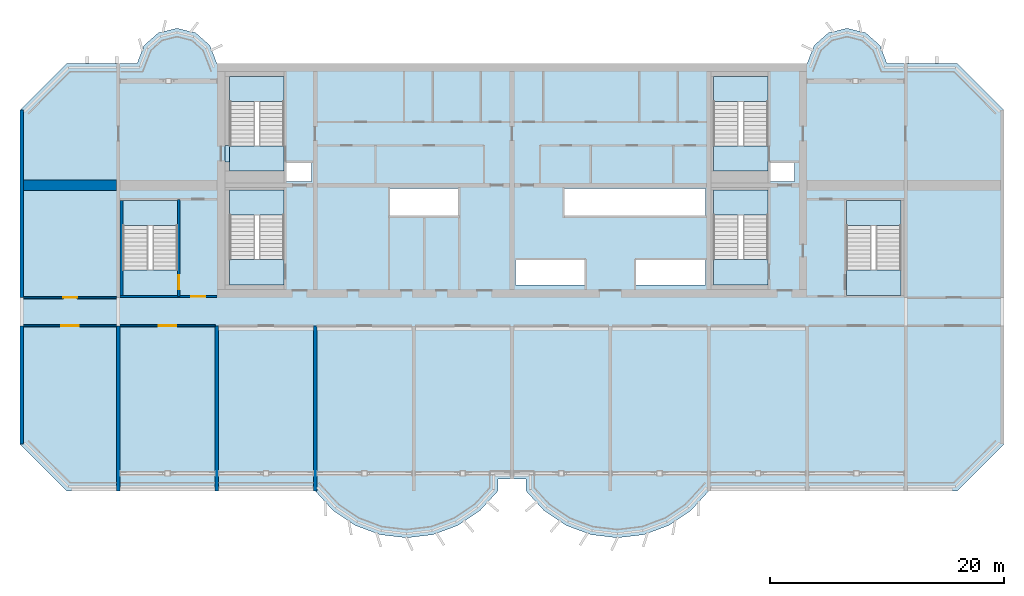
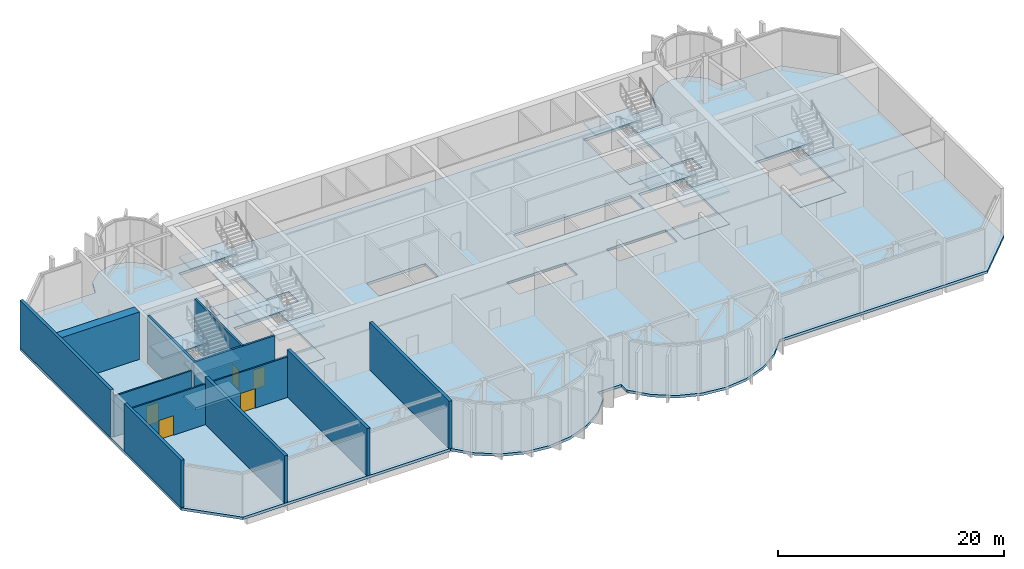
# One storey, part 3 of 15: 20 slabs, 12 walls, 5 doors, 5 openings, 6 elements without a shape of their own.
"""IFC4 building model written with IfcOpenShell, lengths in metres."""

from ifc_helpers import new_model, si_unit, direction, frame, frame_2d, origin, place, context, subcontext, project, spatial, polyline, rectangle, outline, extrude, source, transform, mapped, material, layer, layer_set, type_object, element, fill, aggregate, save


model = new_model("IFC4")

# Units and contexts
model_context = context("Model", 3, precision=1e-05, world=origin(), true_north=direction((0.0, 1.0)))
body_context = subcontext(model_context, "Body", "Model", "MODEL_VIEW")
ifc_project = project(units=[si_unit("LENGTHUNIT", "METRE"), si_unit("AREAUNIT", "SQUARE_METRE"), si_unit("VOLUMEUNIT", "CUBIC_METRE"), si_unit("PLANEANGLEUNIT", "RADIAN"), si_unit("MASSUNIT", "GRAM", prefix="KILO")], contexts=[model_context])

# Site, building, storey
site_placement = place(None, origin())
site = spatial("IfcSite", under=ifc_project, at=site_placement, CompositionType="ELEMENT")
building_placement = place(site_placement, origin())
building = spatial("IfcBuilding", under=site, at=building_placement, Name="Vanashikhar Sky Hotel", CompositionType="ELEMENT")
storey_placement = place(building_placement, frame((0.0, 0.0, 201.0)))
storey = spatial("IfcBuildingStorey", under=building, at=storey_placement, Name="L49", CompositionType="ELEMENT", Elevation=201.0)

# Slabs
ifc_material_1 = material(Name="Concrete M40", Category="concrete")
ifc_layer_1 = layer(ifc_material_1, 0.280029296875)
ifc_layer_set_1 = layer_set([ifc_layer_1], Name="Floor slab 280 mm")
slab_type_1 = type_object("IfcSlabType", Name="Floor slab 280 mm", PredefinedType="FLOOR", material=ifc_layer_set_1)
shared_shape_1 = source(origin(), body_context, "Body", "SweptSolid", [
    extrude(outline(polyline([(49.199951171875, 5.5), (49.199951171875, 6.5), (51.60009765625, 6.5), (51.60009765625, 5.5), (53.133056640625, 3.825927734375), (55.01708984375, 2.55810546875), (57.14599609375, 1.76806640625), (59.39990234375, 1.5), (61.654052734375, 1.76806640625), (63.782958984375, 2.55810546875), (65.6669921875, 3.825927734375), (67.199951171875, 5.5), (88.39990234375, 5.5), (92.39990234375, 9.5), (92.39990234375, 38.0), (88.39990234375, 42.0), (82.39990234375, 42.0), (81.81494140625, 43.527099609375), (80.587890625, 44.610107421875), (79.0, 45.0), (77.412109375, 44.610107421875), (76.18505859375, 43.527099609375), (75.60009765625, 42.0), (25.199951171875, 42.0), (24.614990234375, 43.527099609375), (23.387939453125, 44.610107421875), (21.800048828125, 45.0), (20.2119140625, 44.610107421875), (18.985107421875, 43.527099609375), (18.39990234375, 42.0), (12.39990234375, 42.0), (8.39990234375, 38.0), (8.39990234375, 9.5), (12.39990234375, 5.5), (33.60009765625, 5.5), (35.133056640625, 3.825927734375), (37.01708984375, 2.55810546875), (39.14599609375, 1.76806640625), (41.39990234375, 1.5), (43.654052734375, 1.76806640625), (45.782958984375, 2.55810546875), (47.6669921875, 3.825927734375), (49.199951171875, 5.5)]), holes=[polyline([(33.300048828125, 33.60009765625), (31.050048828125, 33.60009765625), (31.050048828125, 31.89990234375), (33.300048828125, 31.89990234375), (33.300048828125, 33.60009765625)]), polyline([(39.89990234375, 31.300048828125), (39.89990234375, 29.0), (45.89990234375, 29.0), (45.89990234375, 31.300048828125), (39.89990234375, 31.300048828125)]), polyline([(50.699951171875, 25.199951171875), (50.699951171875, 23.10009765625), (56.699951171875, 23.10009765625), (56.699951171875, 25.199951171875), (50.699951171875, 25.199951171875)]), polyline([(66.89990234375, 29.0), (66.89990234375, 31.300048828125), (54.89990234375, 31.300048828125), (54.89990234375, 29.0), (66.89990234375, 29.0)]), polyline([(60.89990234375, 25.199951171875), (60.89990234375, 23.10009765625), (66.89990234375, 23.10009765625), (66.89990234375, 25.199951171875), (60.89990234375, 25.199951171875)]), polyline([(74.5, 33.60009765625), (72.35009765625, 33.60009765625), (72.35009765625, 31.89990234375), (74.5, 31.89990234375), (74.5, 33.60009765625)]), polyline([(30.949951171875, 23.10009765625), (30.949951171875, 31.199951171875), (26.300048828125, 31.199951171875), (26.300048828125, 23.10009765625), (30.949951171875, 23.10009765625)]), polyline([(72.25, 23.10009765625), (72.25, 31.199951171875), (67.60009765625, 31.199951171875), (67.60009765625, 23.10009765625), (72.25, 23.10009765625)]), polyline([(26.300048828125, 35.0009765625), (25.89892578125, 35.0009765625), (25.89892578125, 33.59912109375), (26.300048828125, 33.59912109375), (26.300048828125, 32.800048828125), (30.949951171875, 32.800048828125), (30.949951171875, 40.89990234375), (26.300048828125, 40.89990234375), (26.300048828125, 35.0009765625)]), polyline([(72.25, 32.800048828125), (72.25, 40.89990234375), (67.60009765625, 40.89990234375), (67.60009765625, 32.800048828125), (72.25, 32.800048828125)]), polyline([(83.60009765625, 22.199951171875), (83.60009765625, 30.300048828125), (78.949951171875, 30.300048828125), (78.949951171875, 22.199951171875), (83.60009765625, 22.199951171875)]), polyline([(21.85009765625, 22.199951171875), (21.85009765625, 30.300048828125), (17.199951171875, 30.300048828125), (17.199951171875, 22.199951171875), (21.85009765625, 22.199951171875)])]), origin(), (0.0, 0.0, 1.0), 0.280029296875),
])
slab_1_placement = place(storey_placement, frame((0.0, 0.0, -0.280029296875)))
element("IfcSlab", 1, at=slab_1_placement, inside=storey, type_object=slab_type_1, Name="Floor slab L49", PredefinedType="FLOOR", context=body_context, shape_type="MappedRepresentation", body=[
    mapped(shared_shape_1, transform((0.0, 0.0, 0.0), scale=1.0)),
])
ifc_layer_2 = layer(ifc_material_1, 0.280029296875)
ifc_layer_set_2 = layer_set([ifc_layer_2], Name="Stair floor landing 280")
slab_type_2 = type_object("IfcSlabType", Name="Stair floor landing 280", PredefinedType="LANDING", material=ifc_layer_set_2)
shared_shape_2 = source(origin(), body_context, "Body", "SweptSolid", [
    extrude(outline(polyline([(25.89990234375, 33.60009765625), (26.300048828125, 33.60009765625), (26.300048828125, 35.0), (25.89990234375, 35.0), (25.89990234375, 33.60009765625)])), origin(), (0.0, 0.0, 1.0), 0.280029296875),
])
slab_2_placement = place(storey_placement, frame((0.0, 0.0, -0.280029296875)))
element("IfcSlab", 2, at=slab_2_placement, inside=storey, type_object=slab_type_2, Name="Stair floor landing", PredefinedType="LANDING", context=body_context, shape_type="MappedRepresentation", body=[
    mapped(shared_shape_2, transform((0.0, 0.0, 0.0), scale=1.0)),
])

# Stair, slabs
stair_type = type_object("IfcStairType", Name="Exit stair 2150", PredefinedType="DOUBLE_RETURN_STAIR", material=ifc_material_1)
stair_1_placement = place(storey_placement, origin())
stair_1 = element("IfcStair", 3, at=stair_1_placement, inside=storey, type_object=stair_type, Name="L49 Exit stair 1", PredefinedType="DOUBLE_RETURN_STAIR")
ifc_layer_3 = layer(ifc_material_1, 0.199951171875)
ifc_layer_set_3 = layer_set([ifc_layer_3], Name="Stair landing 200")
slab_type_3 = type_object("IfcSlabType", Name="Stair landing 200", PredefinedType="LANDING", material=ifc_layer_set_3)
shared_shape_3 = source(origin(), body_context, "Body", "SweptSolid", [
    extrude(outline(polyline([(30.949951171875, 29.050048828125), (30.949951171875, 31.199951171875), (26.300048828125, 31.199951171875), (26.300048828125, 29.050048828125), (30.949951171875, 29.050048828125)])), origin(), (0.0, 0.0, 1.0), 0.199951171875),
])
slab_3_placement = place(storey_placement, frame((0.0, 0.0, 1.60009765625)))
slab_3 = element("IfcSlab", 4, at=slab_3_placement, type_object=slab_type_3, Name="ST-C1 landing 1", PredefinedType="LANDING", context=body_context, shape_type="MappedRepresentation", body=[
    mapped(shared_shape_3, transform((0.0, 0.0, 0.0), scale=1.0)),
])
shared_shape_4 = source(origin(), body_context, "Body", "SweptSolid", [
    extrude(outline(polyline([(30.949951171875, 23.10009765625), (30.949951171875, 25.25), (26.300048828125, 25.25), (26.300048828125, 23.10009765625), (30.949951171875, 23.10009765625)])), origin(), (0.0, 0.0, 1.0), 0.2001953125),
])
slab_4_placement = place(storey_placement, frame((0.0, 0.0, 3.39990234375)))
slab_4 = element("IfcSlab", 5, at=slab_4_placement, type_object=slab_type_3, Name="ST-C1 landing 2", PredefinedType="LANDING", context=body_context, shape_type="MappedRepresentation", body=[
    mapped(shared_shape_4, transform((0.0, 0.0, 0.0), scale=1.0)),
])
aggregate(stair_1, [slab_3, slab_4])

# Slab
shared_shape_5 = source(origin(), body_context, "Body", "SweptSolid", [
    extrude(outline(polyline([(30.949951171875, 23.10009765625), (30.949951171875, 25.25), (26.300048828125, 25.25), (26.300048828125, 23.10009765625), (30.949951171875, 23.10009765625)])), origin(), (0.0, 0.0, 1.0), 0.280029296875),
])
slab_5_placement = place(storey_placement, frame((0.0, 0.0, -0.280029296875)))
element("IfcSlab", 6, at=slab_5_placement, inside=storey, type_object=slab_type_2, Name="Exit stair 1 floor landing", PredefinedType="LANDING", context=body_context, shape_type="MappedRepresentation", body=[
    mapped(shared_shape_5, transform((0.0, 0.0, 0.0), scale=1.0)),
])

# Stair, slabs
stair_2_placement = place(storey_placement, origin())
stair_2 = element("IfcStair", 7, at=stair_2_placement, inside=storey, type_object=stair_type, Name="L49 Exit stair 2", PredefinedType="DOUBLE_RETURN_STAIR")
shared_shape_6 = source(origin(), body_context, "Body", "SweptSolid", [
    extrude(outline(polyline([(72.25, 29.050048828125), (72.25, 31.199951171875), (67.60009765625, 31.199951171875), (67.60009765625, 29.050048828125), (72.25, 29.050048828125)])), origin(), (0.0, 0.0, 1.0), 0.199951171875),
])
slab_6_placement = place(storey_placement, frame((0.0, 0.0, 1.60009765625)))
slab_6 = element("IfcSlab", 8, at=slab_6_placement, type_object=slab_type_3, Name="ST-C2 landing 1", PredefinedType="LANDING", context=body_context, shape_type="MappedRepresentation", body=[
    mapped(shared_shape_6, transform((0.0, 0.0, 0.0), scale=1.0)),
])
shared_shape_7 = source(origin(), body_context, "Body", "SweptSolid", [
    extrude(outline(polyline([(72.25, 23.10009765625), (72.25, 25.25), (67.60009765625, 25.25), (67.60009765625, 23.10009765625), (72.25, 23.10009765625)])), origin(), (0.0, 0.0, 1.0), 0.2001953125),
])
slab_7_placement = place(storey_placement, frame((0.0, 0.0, 3.39990234375)))
slab_7 = element("IfcSlab", 9, at=slab_7_placement, type_object=slab_type_3, Name="ST-C2 landing 2", PredefinedType="LANDING", context=body_context, shape_type="MappedRepresentation", body=[
    mapped(shared_shape_7, transform((0.0, 0.0, 0.0), scale=1.0)),
])
aggregate(stair_2, [slab_6, slab_7])

# Slab
shared_shape_8 = source(origin(), body_context, "Body", "SweptSolid", [
    extrude(outline(polyline([(72.25, 23.10009765625), (72.25, 25.25), (67.60009765625, 25.25), (67.60009765625, 23.10009765625), (72.25, 23.10009765625)])), origin(), (0.0, 0.0, 1.0), 0.280029296875),
])
slab_8_placement = place(storey_placement, frame((0.0, 0.0, -0.280029296875)))
element("IfcSlab", 10, at=slab_8_placement, inside=storey, type_object=slab_type_2, Name="Exit stair 2 floor landing", PredefinedType="LANDING", context=body_context, shape_type="MappedRepresentation", body=[
    mapped(shared_shape_8, transform((0.0, 0.0, 0.0), scale=1.0)),
])

# Stair, slabs
stair_3_placement = place(storey_placement, origin())
stair_3 = element("IfcStair", 11, at=stair_3_placement, inside=storey, type_object=stair_type, Name="L49 Exit stair 3", PredefinedType="DOUBLE_RETURN_STAIR")
shared_shape_9 = source(origin(), body_context, "Body", "SweptSolid", [
    extrude(outline(polyline([(21.85009765625, 28.14990234375), (21.85009765625, 30.300048828125), (17.199951171875, 30.300048828125), (17.199951171875, 28.14990234375), (21.85009765625, 28.14990234375)])), origin(), (0.0, 0.0, 1.0), 0.199951171875),
])
slab_9_placement = place(storey_placement, frame((0.0, 0.0, 1.60009765625)))
slab_9 = element("IfcSlab", 12, at=slab_9_placement, type_object=slab_type_3, Name="ST-W landing 1", PredefinedType="LANDING", context=body_context, shape_type="MappedRepresentation", body=[
    mapped(shared_shape_9, transform((0.0, 0.0, 0.0), scale=1.0)),
])
shared_shape_10 = source(origin(), body_context, "Body", "SweptSolid", [
    extrude(outline(polyline([(21.85009765625, 22.199951171875), (21.85009765625, 24.35009765625), (17.199951171875, 24.35009765625), (17.199951171875, 22.199951171875), (21.85009765625, 22.199951171875)])), origin(), (0.0, 0.0, 1.0), 0.2001953125),
])
slab_10_placement = place(storey_placement, frame((0.0, 0.0, 3.39990234375)))
slab_10 = element("IfcSlab", 13, at=slab_10_placement, type_object=slab_type_3, Name="ST-W landing 2", PredefinedType="LANDING", context=body_context, shape_type="MappedRepresentation", body=[
    mapped(shared_shape_10, transform((0.0, 0.0, 0.0), scale=1.0)),
])
aggregate(stair_3, [slab_9, slab_10])

# Slab
shared_shape_11 = source(origin(), body_context, "Body", "SweptSolid", [
    extrude(outline(polyline([(21.85009765625, 22.199951171875), (21.85009765625, 24.35009765625), (17.199951171875, 24.35009765625), (17.199951171875, 22.199951171875), (21.85009765625, 22.199951171875)])), origin(), (0.0, 0.0, 1.0), 0.280029296875),
])
slab_11_placement = place(storey_placement, frame((0.0, 0.0, -0.280029296875)))
element("IfcSlab", 14, at=slab_11_placement, inside=storey, type_object=slab_type_2, Name="Exit stair 3 floor landing", PredefinedType="LANDING", context=body_context, shape_type="MappedRepresentation", body=[
    mapped(shared_shape_11, transform((0.0, 0.0, 0.0), scale=1.0)),
])

# Stair, slabs
stair_4_placement = place(storey_placement, origin())
stair_4 = element("IfcStair", 15, at=stair_4_placement, inside=storey, type_object=stair_type, Name="L49 Exit stair 4", PredefinedType="DOUBLE_RETURN_STAIR")
shared_shape_12 = source(origin(), body_context, "Body", "SweptSolid", [
    extrude(outline(polyline([(83.60009765625, 28.14990234375), (83.60009765625, 30.300048828125), (78.949951171875, 30.300048828125), (78.949951171875, 28.14990234375), (83.60009765625, 28.14990234375)])), origin(), (0.0, 0.0, 1.0), 0.199951171875),
])
slab_12_placement = place(storey_placement, frame((0.0, 0.0, 1.60009765625)))
slab_12 = element("IfcSlab", 16, at=slab_12_placement, type_object=slab_type_3, Name="ST-E landing 1", PredefinedType="LANDING", context=body_context, shape_type="MappedRepresentation", body=[
    mapped(shared_shape_12, transform((0.0, 0.0, 0.0), scale=1.0)),
])
shared_shape_13 = source(origin(), body_context, "Body", "SweptSolid", [
    extrude(outline(polyline([(83.60009765625, 22.199951171875), (83.60009765625, 24.35009765625), (78.949951171875, 24.35009765625), (78.949951171875, 22.199951171875), (83.60009765625, 22.199951171875)])), origin(), (0.0, 0.0, 1.0), 0.2001953125),
])
slab_13_placement = place(storey_placement, frame((0.0, 0.0, 3.39990234375)))
slab_13 = element("IfcSlab", 17, at=slab_13_placement, type_object=slab_type_3, Name="ST-E landing 2", PredefinedType="LANDING", context=body_context, shape_type="MappedRepresentation", body=[
    mapped(shared_shape_13, transform((0.0, 0.0, 0.0), scale=1.0)),
])
aggregate(stair_4, [slab_12, slab_13])

# Slab
shared_shape_14 = source(origin(), body_context, "Body", "SweptSolid", [
    extrude(outline(polyline([(83.60009765625, 22.199951171875), (83.60009765625, 24.35009765625), (78.949951171875, 24.35009765625), (78.949951171875, 22.199951171875), (83.60009765625, 22.199951171875)])), origin(), (0.0, 0.0, 1.0), 0.280029296875),
])
slab_14_placement = place(storey_placement, frame((0.0, 0.0, -0.280029296875)))
element("IfcSlab", 18, at=slab_14_placement, inside=storey, type_object=slab_type_2, Name="Exit stair 4 floor landing", PredefinedType="LANDING", context=body_context, shape_type="MappedRepresentation", body=[
    mapped(shared_shape_14, transform((0.0, 0.0, 0.0), scale=1.0)),
])

# Stair, slabs
stair_5_placement = place(storey_placement, origin())
stair_5 = element("IfcStair", 19, at=stair_5_placement, inside=storey, type_object=stair_type, Name="L49 Exit stair 5", PredefinedType="DOUBLE_RETURN_STAIR")
shared_shape_15 = source(origin(), body_context, "Body", "SweptSolid", [
    extrude(outline(polyline([(30.949951171875, 38.75), (30.949951171875, 40.89990234375), (26.300048828125, 40.89990234375), (26.300048828125, 38.75), (30.949951171875, 38.75)])), origin(), (0.0, 0.0, 1.0), 0.199951171875),
])
slab_15_placement = place(storey_placement, frame((0.0, 0.0, 1.60009765625)))
slab_15 = element("IfcSlab", 20, at=slab_15_placement, type_object=slab_type_3, Name="ST-C3 landing 1", PredefinedType="LANDING", context=body_context, shape_type="MappedRepresentation", body=[
    mapped(shared_shape_15, transform((0.0, 0.0, 0.0), scale=1.0)),
])
shared_shape_16 = source(origin(), body_context, "Body", "SweptSolid", [
    extrude(outline(polyline([(30.949951171875, 32.800048828125), (30.949951171875, 34.949951171875), (26.300048828125, 34.949951171875), (26.300048828125, 32.800048828125), (30.949951171875, 32.800048828125)])), origin(), (0.0, 0.0, 1.0), 0.2001953125),
])
slab_16_placement = place(storey_placement, frame((0.0, 0.0, 3.39990234375)))
slab_16 = element("IfcSlab", 21, at=slab_16_placement, type_object=slab_type_3, Name="ST-C3 landing 2", PredefinedType="LANDING", context=body_context, shape_type="MappedRepresentation", body=[
    mapped(shared_shape_16, transform((0.0, 0.0, 0.0), scale=1.0)),
])
aggregate(stair_5, [slab_15, slab_16])

# Slab
shared_shape_17 = source(origin(), body_context, "Body", "SweptSolid", [
    extrude(outline(polyline([(30.949951171875, 32.800048828125), (30.949951171875, 34.949951171875), (26.300048828125, 34.949951171875), (26.300048828125, 32.800048828125), (30.949951171875, 32.800048828125)])), origin(), (0.0, 0.0, 1.0), 0.280029296875),
])
slab_17_placement = place(storey_placement, frame((0.0, 0.0, -0.280029296875)))
element("IfcSlab", 22, at=slab_17_placement, inside=storey, type_object=slab_type_2, Name="Exit stair 5 floor landing", PredefinedType="LANDING", context=body_context, shape_type="MappedRepresentation", body=[
    mapped(shared_shape_17, transform((0.0, 0.0, 0.0), scale=1.0)),
])

# Stair, slabs
stair_6_placement = place(storey_placement, origin())
stair_6 = element("IfcStair", 23, at=stair_6_placement, inside=storey, type_object=stair_type, Name="L49 Exit stair 6", PredefinedType="DOUBLE_RETURN_STAIR")
shared_shape_18 = source(origin(), body_context, "Body", "SweptSolid", [
    extrude(outline(polyline([(72.25, 38.75), (72.25, 40.89990234375), (67.60009765625, 40.89990234375), (67.60009765625, 38.75), (72.25, 38.75)])), origin(), (0.0, 0.0, 1.0), 0.199951171875),
])
slab_18_placement = place(storey_placement, frame((0.0, 0.0, 1.60009765625)))
slab_18 = element("IfcSlab", 24, at=slab_18_placement, type_object=slab_type_3, Name="ST-C4 landing 1", PredefinedType="LANDING", context=body_context, shape_type="MappedRepresentation", body=[
    mapped(shared_shape_18, transform((0.0, 0.0, 0.0), scale=1.0)),
])
shared_shape_19 = source(origin(), body_context, "Body", "SweptSolid", [
    extrude(outline(polyline([(72.25, 32.800048828125), (72.25, 34.949951171875), (67.60009765625, 34.949951171875), (67.60009765625, 32.800048828125), (72.25, 32.800048828125)])), origin(), (0.0, 0.0, 1.0), 0.2001953125),
])
slab_19_placement = place(storey_placement, frame((0.0, 0.0, 3.39990234375)))
slab_19 = element("IfcSlab", 25, at=slab_19_placement, type_object=slab_type_3, Name="ST-C4 landing 2", PredefinedType="LANDING", context=body_context, shape_type="MappedRepresentation", body=[
    mapped(shared_shape_19, transform((0.0, 0.0, 0.0), scale=1.0)),
])
aggregate(stair_6, [slab_18, slab_19])

# Slab
shared_shape_20 = source(origin(), body_context, "Body", "SweptSolid", [
    extrude(outline(polyline([(72.25, 32.800048828125), (72.25, 34.949951171875), (67.60009765625, 34.949951171875), (67.60009765625, 32.800048828125), (72.25, 32.800048828125)])), origin(), (0.0, 0.0, 1.0), 0.280029296875),
])
slab_20_placement = place(storey_placement, frame((0.0, 0.0, -0.280029296875)))
element("IfcSlab", 26, at=slab_20_placement, inside=storey, type_object=slab_type_2, Name="Exit stair 6 floor landing", PredefinedType="LANDING", context=body_context, shape_type="MappedRepresentation", body=[
    mapped(shared_shape_20, transform((0.0, 0.0, 0.0), scale=1.0)),
])

# Walls
ifc_material_2 = material(Name="Concrete M60", Category="concrete")
ifc_layer_4 = layer(ifc_material_2, 0.300048828125)
ifc_layer_set_4 = layer_set([ifc_layer_4], Name="RC shear wall 300 Concrete M60")
wall_type_1 = type_object("IfcWallType", Name="RC shear wall 300 Concrete M60", PredefinedType="SHEAR", material=ifc_layer_set_4)
shared_shape_21 = source(origin(), body_context, "Body", "SweptSolid", [
    extrude(rectangle(XDim=10.10009765625, YDim=0.300048828125, at=frame_2d((5.050048828125, 0.0))), origin(), (0.0, 0.0, 1.0), 5.1201171875),
])
wall_1_placement = place(storey_placement, frame((8.550048828125, 9.5, 0.0), z_axis=(0.0, 0.0, 1.0), x_axis=(0.0, 1.0, 0.0)))
element("IfcWall", 27, at=wall_1_placement, inside=storey, type_object=wall_type_1, Name="CW-L49-XW02-1", PredefinedType="SHEAR", context=body_context, shape_type="MappedRepresentation", body=[
    mapped(shared_shape_21, transform((0.0, 0.0, 0.0), scale=1.0)),
])
shared_shape_22 = source(origin(), body_context, "Body", "SweptSolid", [
    extrude(rectangle(XDim=16.0, YDim=0.300048828125, at=frame_2d((8.0, 0.0))), origin(), (0.0, 0.0, 1.0), 5.1201171875),
])
wall_2_placement = place(storey_placement, frame((8.550048828125, 22.0, 0.0), z_axis=(0.0, 0.0, 1.0), x_axis=(0.0, 1.0, 0.0)))
element("IfcWall", 28, at=wall_2_placement, inside=storey, type_object=wall_type_1, Name="CW-L49-XW02-2", PredefinedType="SHEAR", context=body_context, shape_type="MappedRepresentation", body=[
    mapped(shared_shape_22, transform((0.0, 0.0, 0.0), scale=1.0)),
])
shared_shape_23 = source(origin(), body_context, "Body", "SweptSolid", [
    extrude(rectangle(XDim=14.10009765625, YDim=0.300048828125, at=frame_2d((7.050048828125, 0.0))), origin(), (0.0, 0.0, 1.0), 5.1201171875),
])
for number, where, z_axis, x_axis, name in (
    (29, (16.800048828125, 5.5, 0.0), (0.0, 0.0, 1.0), (0.0, 1.0, 0.0), "CW-L49-XW03-1"),
    (30, (25.199951171875, 5.5, 0.0), (0.0, 0.0, 1.0), (0.0, 1.0, 0.0), "CW-L49-XW04-1"),
    (31, (33.60009765625, 5.5, 0.0), (0.0, 0.0, 1.0), (0.0, 1.0, 0.0), "CW-L49-XW05-1"),
):
    element("IfcWall", number, at=place(storey_placement, frame(where, z_axis=z_axis, x_axis=x_axis)), inside=storey, type_object=wall_type_1, Name=name, PredefinedType="SHEAR", context=body_context, shape_type="MappedRepresentation", body=[
        mapped(shared_shape_23, transform((0.0, 0.0, 0.0), scale=1.0)),
    ])
ifc_layer_5 = layer(ifc_material_2, 0.89990234375)
ifc_layer_set_5 = layer_set([ifc_layer_5], Name="RC outrigger wall 900 Concrete M60")
wall_type_2 = type_object("IfcWallType", Name="RC outrigger wall 900 Concrete M60", PredefinedType="SHEAR", material=ifc_layer_set_5)
shared_shape_24 = source(origin(), body_context, "Body", "SweptSolid", [
    extrude(rectangle(XDim=7.949951171875, YDim=0.89990234375, at=frame_2d((3.97509765625, 0.0))), origin(), (0.0, 0.0, 1.0), 5.1201171875),
])
wall_3_placement = place(storey_placement, frame((8.699951171875, 31.60009765625, 0.0), z_axis=(0.0, 0.0, 1.0), x_axis=(1.0, 0.0, 0.0)))
element("IfcWall", 32, at=wall_3_placement, inside=storey, type_object=wall_type_2, Name="OW-L49-01", PredefinedType="SHEAR", context=body_context, shape_type="MappedRepresentation", body=[
    mapped(shared_shape_24, transform((0.0, 0.0, 0.0), scale=1.0)),
])

# Wall, opening, door
ifc_material_3 = material(Name="Concrete M50", Category="concrete")
ifc_layer_6 = layer(ifc_material_3, 0.199951171875)
ifc_layer_set_6 = layer_set([ifc_layer_6], Name="Stair wall 200")
wall_type_3 = type_object("IfcWallType", Name="Stair wall 200", PredefinedType="SOLIDWALL", material=ifc_layer_set_6)
shared_shape_25 = source(origin(), body_context, "Body", "SweptSolid", [
    extrude(rectangle(XDim=8.2998046875, YDim=0.199951171875, at=frame_2d((4.14990234375, 0.0))), origin(), (0.0, 0.0, 1.0), 5.1201171875),
])
wall_4_placement = place(storey_placement, frame((21.949951171875, 22.10009765625, 0.0), z_axis=(0.0, 0.0, 1.0), x_axis=(0.0, 1.0, 0.0)))
wall_4 = element("IfcWall", 33, at=wall_4_placement, inside=storey, type_object=wall_type_3, Name="Stair wall 200", PredefinedType="SOLIDWALL", context=body_context, shape_type="MappedRepresentation", body=[
    mapped(shared_shape_25, transform((0.0, 0.0, 0.0), scale=1.0)),
])
shared_shape_26 = source(origin(), body_context, "Body", "SweptSolid", [
    extrude(rectangle(XDim=1.199951171875, YDim=2.10009765625, at=frame_2d((0.60009765625, 1.050048828125))), frame((0.0, 0.10986328125, 0.0), z_axis=(0.0, -1.0, 0.0), x_axis=(1.0, 0.0, 0.0)), (0.0, 0.0, 1.0), 0.219970703125),
])
opening_1_placement = place(wall_4_placement, frame((0.60009765625, 0.0, 0.0)))
opening_1 = element("IfcOpeningElement", 34, at=opening_1_placement, cuts=wall_4, Name="Opening DC-1", PredefinedType="OPENING", context=body_context, shape_type="MappedRepresentation", body=[
    mapped(shared_shape_26, transform((0.0, 0.0, 0.0), scale=1.0)),
])
ifc_material_4 = material(Name="Steel", Category="steel")
door_type_1 = type_object("IfcDoorType", Name="Stair door 1200 FD120", OperationType="NOTDEFINED", PredefinedType="DOOR", material=ifc_material_4)
shared_shape_27 = source(origin(), body_context, "Body", "SweptSolid", [
    extrude(rectangle(XDim=1.199951171875, YDim=2.10009765625, at=frame_2d((0.60009765625, 1.050048828125))), frame((0.0, 0.02490234375, 0.0), z_axis=(0.0, -1.0, 0.0), x_axis=(1.0, 0.0, 0.0)), (0.0, 0.0, 1.0), 0.050048828125),
])
door_1_placement = place(opening_1_placement, origin())
door_1 = element("IfcDoor", 35, at=door_1_placement, inside=storey, type_object=door_type_1, Name="Stair door 1200 FD120", OperationType="SINGLE_SWING_LEFT", OverallHeight=2.10009765625, OverallWidth=1.199951171875, PredefinedType="DOOR", context=body_context, shape_type="MappedRepresentation", body=[
    mapped(shared_shape_27, transform((0.0, 0.0, 0.0), scale=1.0)),
])
fill(opening_1, door_1)

shared_shape_28 = source(origin(), body_context, "Body", "SweptSolid", [
    extrude(rectangle(XDim=8.25, YDim=0.199951171875, at=frame_2d((4.125, 0.0))), origin(), (0.0, 0.0, 1.0), 5.1201171875),
])
wall_5_placement = place(storey_placement, frame((16.949951171875, 22.10009765625, 0.0), z_axis=(0.0, 0.0, 1.0), x_axis=(1.0, 0.0, 0.0)))
wall_5 = element("IfcWall", 36, at=wall_5_placement, inside=storey, type_object=wall_type_3, Name="Stair wall 200", PredefinedType="SOLIDWALL", context=body_context, shape_type="MappedRepresentation", body=[
    mapped(shared_shape_28, transform((0.0, 0.0, 0.0), scale=1.0)),
])
opening_2_placement = place(wall_5_placement, frame((6.050048828125, 0.0, 0.0)))
opening_2 = element("IfcOpeningElement", 37, at=opening_2_placement, cuts=wall_5, Name="Opening DC-2", PredefinedType="OPENING", context=body_context, shape_type="MappedRepresentation", body=[
    mapped(shared_shape_26, transform((0.0, 0.0, 0.0), scale=1.0)),
])
door_type_2 = type_object("IfcDoorType", Name="Firefighting lobby door 1200 FD120", OperationType="NOTDEFINED", PredefinedType="DOOR", material=ifc_material_4)
door_2_placement = place(opening_2_placement, origin())
door_2 = element("IfcDoor", 38, at=door_2_placement, inside=storey, type_object=door_type_2, Name="Firefighting lobby door 1200 FD120", OperationType="SINGLE_SWING_RIGHT", OverallHeight=2.10009765625, OverallWidth=1.199951171875, PredefinedType="DOOR", context=body_context, shape_type="MappedRepresentation", body=[
    mapped(shared_shape_27, transform((0.0, 0.0, 0.0), scale=1.0)),
])
fill(opening_2, door_2)

# Wall
ifc_layer_7 = layer(ifc_material_3, 0.25)
ifc_layer_set_7 = layer_set([ifc_layer_7], Name="Stair infill wall 250")
wall_type_4 = type_object("IfcWallType", Name="Stair infill wall 250", PredefinedType="SOLIDWALL", material=ifc_layer_set_7)
shared_shape_29 = source(origin(), body_context, "Body", "SweptSolid", [
    extrude(rectangle(XDim=8.10009765625, YDim=0.25, at=frame_2d((4.050048828125, 0.0))), origin(), (0.0, 0.0, 1.0), 5.1201171875),
])
wall_6_placement = place(storey_placement, frame((17.074951171875, 22.199951171875, 0.0), z_axis=(0.0, 0.0, 1.0), x_axis=(0.0, 1.0, 0.0)))
element("IfcWall", 39, at=wall_6_placement, inside=storey, type_object=wall_type_4, Name="Stair infill wall 250", PredefinedType="SOLIDWALL", context=body_context, shape_type="MappedRepresentation", body=[
    mapped(shared_shape_29, transform((0.0, 0.0, 0.0), scale=1.0)),
])

# Wall, opening, door
ifc_material_5 = material(Name="Gypsum board partition")
ifc_layer_8 = layer(ifc_material_5, 0.14990234375)
ifc_layer_set_8 = layer_set([ifc_layer_8], Name="Service partition 150")
wall_type_5 = type_object("IfcWallType", Name="Service partition 150", PredefinedType="PARTITIONING", material=ifc_layer_set_8)
shared_shape_30 = source(origin(), body_context, "Body", "SweptSolid", [
    extrude(rectangle(XDim=7.949951171875, YDim=0.14990234375, at=frame_2d((3.97509765625, 0.0))), origin(), (0.0, 0.0, 1.0), 4.3701171875),
])
wall_7_placement = place(storey_placement, frame((8.699951171875, 19.60009765625, 0.0), z_axis=(0.0, 0.0, 1.0), x_axis=(1.0, 0.0, 0.0)))
wall_7 = element("IfcWall", 40, at=wall_7_placement, inside=storey, type_object=wall_type_5, Name="Service partition 150", PredefinedType="PARTITIONING", context=body_context, shape_type="MappedRepresentation", body=[
    mapped(shared_shape_30, transform((0.0, 0.0, 0.0), scale=1.0)),
])
shared_shape_31 = source(origin(), body_context, "Body", "SweptSolid", [
    extrude(rectangle(XDim=1.5, YDim=2.10009765625, at=frame_2d((0.75, 1.050048828125))), frame((0.0, 0.0849609375, 0.0), z_axis=(0.0, -1.0, 0.0), x_axis=(1.0, 0.0, 0.0)), (0.0, 0.0, 1.0), 0.169921875),
])
opening_3_placement = place(wall_7_placement, frame((3.22509765625, 0.0, 0.0)))
opening_3 = element("IfcOpeningElement", 41, at=opening_3_placement, cuts=wall_7, Name="Opening DC-4-E", PredefinedType="OPENING", context=body_context, shape_type="MappedRepresentation", body=[
    mapped(shared_shape_31, transform((0.0, 0.0, 0.0), scale=1.0)),
])
door_type_3 = type_object("IfcDoorType", Name="Service door 1500 FD60", OperationType="NOTDEFINED", PredefinedType="DOOR", material=ifc_material_4)
shared_shape_32 = source(origin(), body_context, "Body", "SweptSolid", [
    extrude(rectangle(XDim=1.5, YDim=2.10009765625, at=frame_2d((0.75, 1.050048828125))), frame((0.0, 0.02490234375, 0.0), z_axis=(0.0, -1.0, 0.0), x_axis=(1.0, 0.0, 0.0)), (0.0, 0.0, 1.0), 0.050048828125),
])
door_3_placement = place(opening_3_placement, origin())
door_3 = element("IfcDoor", 42, at=door_3_placement, inside=storey, type_object=door_type_3, Name="Service door 1500 FD60", OperationType="SINGLE_SWING_RIGHT", OverallHeight=2.10009765625, OverallWidth=1.5, PredefinedType="DOOR", context=body_context, shape_type="MappedRepresentation", body=[
    mapped(shared_shape_32, transform((0.0, 0.0, 0.0), scale=1.0)),
])
fill(opening_3, door_3)

wall_8_placement = place(storey_placement, frame((8.699951171875, 22.0, 0.0), z_axis=(0.0, 0.0, 1.0), x_axis=(1.0, 0.0, 0.0)))
wall_8 = element("IfcWall", 43, at=wall_8_placement, inside=storey, type_object=wall_type_5, Name="Service partition 150", PredefinedType="PARTITIONING", context=body_context, shape_type="MappedRepresentation", body=[
    mapped(shared_shape_30, transform((0.0, 0.0, 0.0), scale=1.0)),
])
shared_shape_33 = source(origin(), body_context, "Body", "SweptSolid", [
    extrude(rectangle(XDim=1.199951171875, YDim=2.10009765625, at=frame_2d((0.60009765625, 1.050048828125))), frame((0.0, 0.0849609375, 0.0), z_axis=(0.0, -1.0, 0.0), x_axis=(1.0, 0.0, 0.0)), (0.0, 0.0, 1.0), 0.169921875),
])
opening_4_placement = place(wall_8_placement, frame((3.375, 0.0, 0.0)))
opening_4 = element("IfcOpeningElement", 44, at=opening_4_placement, cuts=wall_8, Name="Opening DC-4-D", PredefinedType="OPENING", context=body_context, shape_type="MappedRepresentation", body=[
    mapped(shared_shape_33, transform((0.0, 0.0, 0.0), scale=1.0)),
])
door_type_4 = type_object("IfcDoorType", Name="Service door 1200 FD120", OperationType="NOTDEFINED", PredefinedType="DOOR", material=ifc_material_4)
door_4_placement = place(opening_4_placement, origin())
door_4 = element("IfcDoor", 45, at=door_4_placement, inside=storey, type_object=door_type_4, Name="Service door 1200 FD120", OperationType="SINGLE_SWING_RIGHT", OverallHeight=2.10009765625, OverallWidth=1.199951171875, PredefinedType="DOOR", context=body_context, shape_type="MappedRepresentation", body=[
    mapped(shared_shape_27, transform((0.0, 0.0, 0.0), scale=1.0)),
])
fill(opening_4, door_4)

shared_shape_34 = source(origin(), body_context, "Body", "SweptSolid", [
    extrude(rectangle(XDim=8.10009765625, YDim=0.14990234375, at=frame_2d((4.050048828125, 0.0))), origin(), (0.0, 0.0, 1.0), 4.3701171875),
])
wall_9_placement = place(storey_placement, frame((16.949951171875, 19.60009765625, 0.0), z_axis=(0.0, 0.0, 1.0), x_axis=(1.0, 0.0, 0.0)))
wall_9 = element("IfcWall", 46, at=wall_9_placement, inside=storey, type_object=wall_type_5, Name="Service partition 150", PredefinedType="PARTITIONING", context=body_context, shape_type="MappedRepresentation", body=[
    mapped(shared_shape_34, transform((0.0, 0.0, 0.0), scale=1.0)),
])
opening_5_placement = place(wall_9_placement, frame((3.300048828125, 0.0, 0.0)))
opening_5 = element("IfcOpeningElement", 47, at=opening_5_placement, cuts=wall_9, Name="Opening DC-4-E", PredefinedType="OPENING", context=body_context, shape_type="MappedRepresentation", body=[
    mapped(shared_shape_31, transform((0.0, 0.0, 0.0), scale=1.0)),
])
door_5_placement = place(opening_5_placement, origin())
door_5 = element("IfcDoor", 48, at=door_5_placement, inside=storey, type_object=door_type_3, Name="Service door 1500 FD60", OperationType="SINGLE_SWING_RIGHT", OverallHeight=2.10009765625, OverallWidth=1.5, PredefinedType="DOOR", context=body_context, shape_type="MappedRepresentation", body=[
    mapped(shared_shape_32, transform((0.0, 0.0, 0.0), scale=1.0)),
])
fill(opening_5, door_5)

save(model, "model.ifc")
